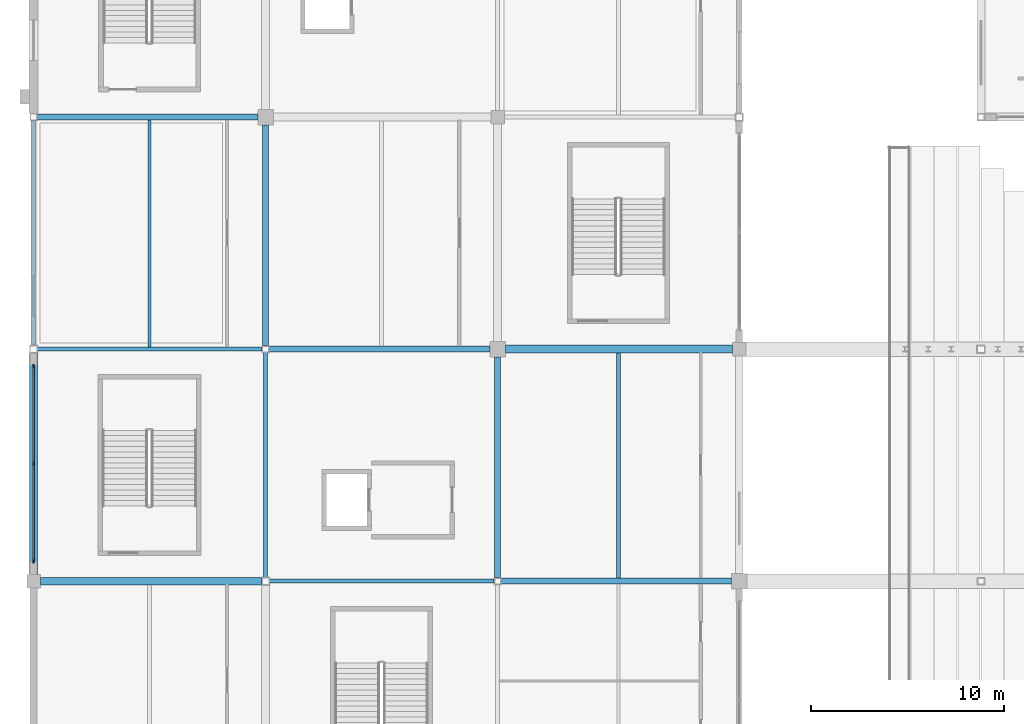
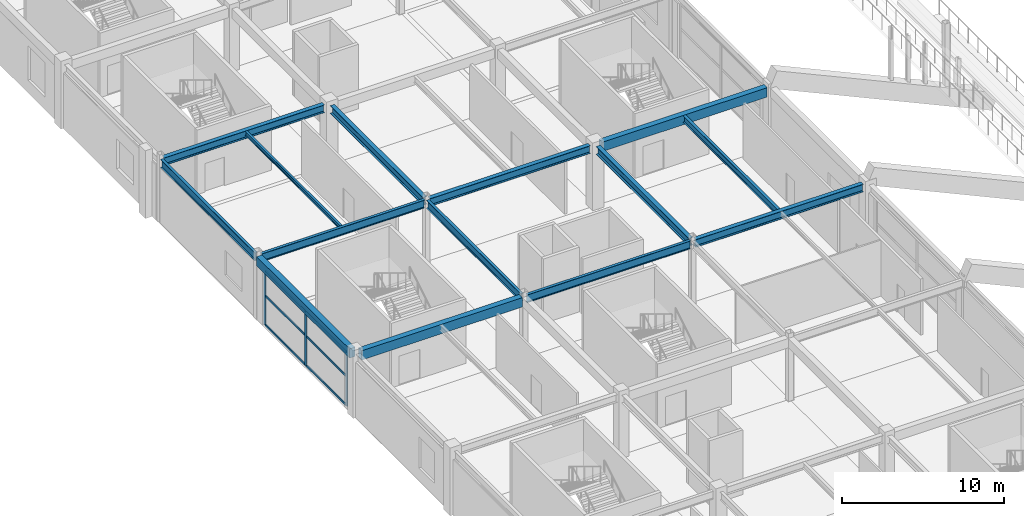
# One storey, part 39 of 128: 14 beams, 9 members, 1 element without a shape of its own.
"""IFC4 building model written with IfcOpenShell, lengths in metres."""

from ifc_helpers import new_model, si_unit, direction, frame, origin, origin_2d, place, context, subcontext, project, spatial, rectangle, i_section, extrude, material, layer, layer_set, material_profile, profile_set, type_object, element, aggregate, save


model = new_model("IFC4")

# Units and contexts
model_context = context("Model", 3, precision=1e-05, world=origin(), true_north=direction((0.0, 1.0)))
body_context = subcontext(model_context, "Body", "Model", "MODEL_VIEW")
ifc_project = project(units=[si_unit("LENGTHUNIT", "METRE"), si_unit("AREAUNIT", "SQUARE_METRE"), si_unit("VOLUMEUNIT", "CUBIC_METRE"), si_unit("PLANEANGLEUNIT", "RADIAN"), si_unit("MASSUNIT", "GRAM", prefix="KILO")], contexts=[model_context])

# Site, building, storey
site_placement = place(None, origin())
site = spatial("IfcSite", under=ifc_project, at=site_placement, CompositionType="ELEMENT")
building_placement = place(site_placement, origin())
building = spatial("IfcBuilding", under=site, at=building_placement, Name="Kazenohara Klinker Stadium", CompositionType="ELEMENT")
storey_placement = place(building_placement, frame((0.0, 0.0, 15.300048828125)))
storey = spatial("IfcBuildingStorey", under=building, at=storey_placement, Name="L03", CompositionType="ELEMENT", Elevation=15.300048828125)

# Beams
ifc_material_1 = material(Name="Steel S355", Category="steel")
ifc_material_profile_1 = material_profile(ifc_material_1, i_section(OverallWidth=0.199951171875, OverallDepth=0.5, WebThickness=0.010009765625, FlangeThickness=0.01611328125, FilletRadius=0.012939453125, at=origin_2d()), Name="H-500x200x10x16")
ifc_profile_set_1 = profile_set([ifc_material_profile_1], Name="Steel S355")
beam_type_1 = type_object("IfcBeamType", Name="BM-JST01", PredefinedType="JOIST", material=ifc_profile_set_1)
beam_1_placement = place(storey_placement, frame((30.25, 108.14990234375, 4.510009765625), z_axis=(0.0, 1.0, 0.0), x_axis=(-1.0, 0.0, 0.0)))
element("IfcBeam", 1, at=beam_1_placement, inside=storey, type_object=beam_type_1, Name="Secondary floor joist SJ01 L03 3/K", PredefinedType="JOIST", context=body_context, shape_type="SweptSolid", body=[
    extrude(i_section(OverallWidth=0.199951171875, OverallDepth=0.5, WebThickness=0.010009765625, FlangeThickness=0.01611328125, FilletRadius=0.012939453125, at=origin_2d()), origin(), (0.0, 0.0, 1.0), 11.650146484375),
])
ifc_material_profile_2 = material_profile(ifc_material_1, i_section(OverallWidth=0.14990234375, OverallDepth=0.300048828125, WebThickness=0.006591796875, FlangeThickness=0.009033203125, FilletRadius=0.012939453125, at=origin_2d()), Name="H-300x150x6.5x9")
ifc_profile_set_2 = profile_set([ifc_material_profile_2], Name="Steel S355")
beam_type_2 = type_object("IfcBeamType", Name="BM-JST05", PredefinedType="JOIST", material=ifc_profile_set_2)
beam_2_placement = place(storey_placement, frame((6.0, 120.10009765625, 4.60986328125), z_axis=(0.0, 1.0, 0.0), x_axis=(-1.0, 0.0, 0.0)))
element("IfcBeam", 2, at=beam_2_placement, inside=storey, type_object=beam_type_2, Name="Secondary floor joist SJ05 L03 1/L", PredefinedType="JOIST", context=body_context, shape_type="SweptSolid", body=[
    extrude(i_section(OverallWidth=0.14990234375, OverallDepth=0.300048828125, WebThickness=0.006591796875, FlangeThickness=0.009033203125, FilletRadius=0.012939453125, at=origin_2d()), origin(), (0.0, 0.0, 1.0), 11.75),
])
ifc_material_2 = material(Name="Concrete C40/50", Category="concrete")
ifc_material_profile_3 = material_profile(ifc_material_2, rectangle(XDim=0.39990234375, YDim=0.699951171875, at=origin_2d()), Name="RC-BM-400x700")
ifc_profile_set_3 = profile_set([ifc_material_profile_3], Name="Concrete C40/50")
beam_type_3 = type_object("IfcBeamType", Name="BM-RC04", PredefinedType="BEAM", material=ifc_profile_set_3)
beam_3_placement = place(storey_placement, frame((0.35009765625, 108.0, 4.409912109375), z_axis=(1.0, 0.0, 0.0), x_axis=(0.0, 1.0, 0.0)))
element("IfcBeam", 3, at=beam_3_placement, inside=storey, type_object=beam_type_3, Name="Primary girder BG04 L03 1-2/K", PredefinedType="BEAM", context=body_context, shape_type="SweptSolid", body=[
    extrude(rectangle(XDim=0.39990234375, YDim=0.699951171875, at=origin_2d()), origin(), (0.0, 0.0, 1.0), 11.449951171875),
])
beam_4_placement = place(storey_placement, frame((24.39990234375, 120.0, 4.409912109375), z_axis=(1.0, 0.0, 0.0), x_axis=(0.0, 1.0, 0.0)))
element("IfcBeam", 4, at=beam_4_placement, inside=storey, type_object=beam_type_3, Name="Primary girder BG04 L03 3-4/L", PredefinedType="BEAM", context=body_context, shape_type="SweptSolid", body=[
    extrude(rectangle(XDim=0.39990234375, YDim=0.699951171875, at=origin_2d()), origin(), (0.0, 0.0, 1.0), 11.75),
])
beam_5_placement = place(storey_placement, frame((0.0, 108.35009765625, 4.409912109375), z_axis=(0.0, 1.0, 0.0), x_axis=(-1.0, 0.0, 0.0)))
element("IfcBeam", 5, at=beam_5_placement, inside=storey, type_object=beam_type_3, Name="Primary girder BG04 L03 1/K-L", PredefinedType="BEAM", context=body_context, shape_type="SweptSolid", body=[
    extrude(rectangle(XDim=0.39990234375, YDim=0.699951171875, at=origin_2d()), origin(), (0.0, 0.0, 1.0), 11.449951171875),
])
ifc_material_profile_4 = material_profile(ifc_material_1, i_section(OverallWidth=0.199951171875, OverallDepth=0.60009765625, WebThickness=0.010986328125, FlangeThickness=0.01708984375, FilletRadius=0.012939453125, at=origin_2d()), Name="H-600x200x11x17")
ifc_profile_set_4 = profile_set([ifc_material_profile_4], Name="Steel S355")
beam_type_4 = type_object("IfcBeamType", Name="BM-ST04", PredefinedType="BEAM", material=ifc_profile_set_4)
for number, where, z_axis, x_axis, name in (
    (6, (0.199951171875, 120.0, 4.4599609375), (1.0, 0.0, 0.0), (0.0, 1.0, 0.0), "Primary girder SB04 L03 1-2/L"),
    (7, (12.199951171875, 108.0, 4.4599609375), (1.0, 0.0, 0.0), (0.0, 1.0, 0.0), "Primary girder SB04 L03 2-3/K"),
    (8, (0.0, 120.199951171875, 4.4599609375), (0.0, 1.0, 0.0), (-1.0, 0.0, 0.0), "Primary girder SB04 L03 1/L-M"),
    (9, (12.0, 108.199951171875, 4.4599609375), (0.0, 1.0, 0.0), (-1.0, 0.0, 0.0), "Primary girder SB04 L03 2/K-L"),
):
    element("IfcBeam", number, at=place(storey_placement, frame(where, z_axis=z_axis, x_axis=x_axis)), inside=storey, type_object=beam_type_4, Name=name, PredefinedType="BEAM", context=body_context, shape_type="SweptSolid", body=[
        extrude(i_section(OverallWidth=0.199951171875, OverallDepth=0.60009765625, WebThickness=0.010986328125, FlangeThickness=0.01708984375, FilletRadius=0.012939453125, at=origin_2d()), origin(), (0.0, 0.0, 1.0), 11.625),
    ])
ifc_material_profile_5 = material_profile(ifc_material_1, i_section(OverallWidth=0.300048828125, OverallDepth=0.587890625, WebThickness=0.011962890625, FlangeThickness=0.02001953125, FilletRadius=0.02197265625, at=origin_2d()), Name="H-588x300x12x20")
ifc_profile_set_5 = profile_set([ifc_material_profile_5], Name="Steel S355")
beam_type_5 = type_object("IfcBeamType", Name="BM-ST05", PredefinedType="BEAM", material=ifc_profile_set_5)
for number, where, z_axis, x_axis, name in (
    (10, (0.175048828125, 132.0, 4.466064453125), (1.0, 0.0, 0.0), (0.0, 1.0, 0.0), "Primary girder SB05 L03 1-2/M"),
    (11, (12.175048828125, 120.0, 4.466064453125), (1.0, 0.0, 0.0), (0.0, 1.0, 0.0), "Primary girder SB05 L03 2-3/L"),
):
    element("IfcBeam", number, at=place(storey_placement, frame(where, z_axis=z_axis, x_axis=x_axis)), inside=storey, type_object=beam_type_5, Name=name, PredefinedType="BEAM", context=body_context, shape_type="SweptSolid", body=[
        extrude(i_section(OverallWidth=0.300048828125, OverallDepth=0.587890625, WebThickness=0.011962890625, FlangeThickness=0.02001953125, FilletRadius=0.02197265625, at=origin_2d()), origin(), (0.0, 0.0, 1.0), 11.425048828125),
    ])
beam_6_placement = place(storey_placement, frame((24.175048828125, 108.0, 4.466064453125), z_axis=(1.0, 0.0, 0.0), x_axis=(0.0, 1.0, 0.0)))
element("IfcBeam", 12, at=beam_6_placement, inside=storey, type_object=beam_type_5, Name="Primary girder SB05 L03 3-4/K", PredefinedType="BEAM", context=body_context, shape_type="SweptSolid", body=[
    extrude(i_section(OverallWidth=0.300048828125, OverallDepth=0.587890625, WebThickness=0.011962890625, FlangeThickness=0.02001953125, FilletRadius=0.02197265625, at=origin_2d()), origin(), (0.0, 0.0, 1.0), 11.925048828125),
])
for number, where, z_axis, x_axis, name in (
    (13, (12.0, 120.175048828125, 4.466064453125), (0.0, 1.0, 0.0), (-1.0, 0.0, 0.0), "Primary girder SB05 L03 2/L-M"),
    (14, (24.0, 108.175048828125, 4.466064453125), (0.0, 1.0, 0.0), (-1.0, 0.0, 0.0), "Primary girder SB05 L03 3/K-L"),
):
    element("IfcBeam", number, at=place(storey_placement, frame(where, z_axis=z_axis, x_axis=x_axis)), inside=storey, type_object=beam_type_5, Name=name, PredefinedType="BEAM", context=body_context, shape_type="SweptSolid", body=[
        extrude(i_section(OverallWidth=0.300048828125, OverallDepth=0.587890625, WebThickness=0.011962890625, FlangeThickness=0.02001953125, FilletRadius=0.02197265625, at=origin_2d()), origin(), (0.0, 0.0, 1.0), 11.425048828125),
    ])

# Curtain wall, members
ifc_material_3 = material(Name="Anodised aluminium and triple glazing", Category="aluminium")
ifc_layer = layer(ifc_material_3, 0.159912109375)
ifc_layer_set = layer_set([ifc_layer], Name="Anodised aluminium and triple glazing")
curtain_wall_type = type_object("IfcCurtainWallType", Name="CW-SYS-01", PredefinedType="USERDEFINED", material=ifc_layer_set)
curtain_wall_placement = place(storey_placement, origin())
curtain_wall = element("IfcCurtainWall", 15, at=curtain_wall_placement, inside=storey, type_object=curtain_wall_type, Name="Unitised facade curtain wall CW01 L03 Y0-9", ObjectType="UNITISED CURTAIN WALL", PredefinedType="USERDEFINED")
ifc_material_4 = material(Name="Anodised aluminium 6063-T6", Category="aluminium")
ifc_material_profile_6 = material_profile(ifc_material_4, rectangle(XDim=0.074951171875, YDim=0.219970703125, at=origin_2d()), Name="ALU-MUL-75x220")
ifc_profile_set_6 = profile_set([ifc_material_profile_6], Name="Anodised aluminium 6063-T6")
member_type_1 = type_object("IfcMemberType", Name="CW-MUL-220", PredefinedType="MULLION", material=ifc_profile_set_6)
member_1_placement = place(storey_placement, frame((0.0, 109.04150390625, 0.0), z_axis=(0.0, 0.0, 1.0), x_axis=(-1.0, 0.0, 0.0)))
member_1 = element("IfcMember", 16, at=member_1_placement, type_object=member_type_1, Name="CW01 mullion 1", PredefinedType="MULLION", context=body_context, shape_type="SweptSolid", body=[
    extrude(rectangle(XDim=0.074951171875, YDim=0.219970703125, at=origin_2d()), origin(), (0.0, 0.0, 1.0), 4.06005859375),
])
member_2_placement = place(storey_placement, frame((0.0, 114.074951171875, 0.0), z_axis=(0.0, 0.0, 1.0), x_axis=(-1.0, 0.0, 0.0)))
member_2 = element("IfcMember", 17, at=member_2_placement, type_object=member_type_1, Name="CW01 mullion 2", PredefinedType="MULLION", context=body_context, shape_type="SweptSolid", body=[
    extrude(rectangle(XDim=0.074951171875, YDim=0.219970703125, at=origin_2d()), origin(), (0.0, 0.0, 1.0), 4.06005859375),
])
member_3_placement = place(storey_placement, frame((0.0, 119.1083984375, 0.0), z_axis=(0.0, 0.0, 1.0), x_axis=(-1.0, 0.0, 0.0)))
member_3 = element("IfcMember", 18, at=member_3_placement, type_object=member_type_1, Name="CW01 mullion 3", PredefinedType="MULLION", context=body_context, shape_type="SweptSolid", body=[
    extrude(rectangle(XDim=0.074951171875, YDim=0.219970703125, at=origin_2d()), origin(), (0.0, 0.0, 1.0), 4.06005859375),
])
ifc_material_profile_7 = material_profile(ifc_material_4, rectangle(XDim=0.074951171875, YDim=0.159912109375, at=origin_2d()), Name="ALU-TRN-75x160")
ifc_profile_set_7 = profile_set([ifc_material_profile_7], Name="Anodised aluminium 6063-T6")
member_type_2 = type_object("IfcMemberType", Name="CW-TRN-160", PredefinedType="USERDEFINED", material=ifc_profile_set_7)
member_4_placement = place(storey_placement, frame((0.0, 109.0791015625, 0.037353515625), z_axis=(0.0, 1.0, 0.0), x_axis=(-1.0, 0.0, 0.0)))
member_4 = element("IfcMember", 19, at=member_4_placement, type_object=member_type_2, Name="CW01 transom 1.1", ObjectType="TRANSOM", PredefinedType="USERDEFINED", context=body_context, shape_type="SweptSolid", body=[
    extrude(rectangle(XDim=0.074951171875, YDim=0.159912109375, at=origin_2d()), origin(), (0.0, 0.0, 1.0), 4.95849609375),
])
member_5_placement = place(storey_placement, frame((0.0, 109.0791015625, 2.23291015625), z_axis=(0.0, 1.0, 0.0), x_axis=(-1.0, 0.0, 0.0)))
member_5 = element("IfcMember", 20, at=member_5_placement, type_object=member_type_2, Name="CW01 transom 1.2", ObjectType="TRANSOM", PredefinedType="USERDEFINED", context=body_context, shape_type="SweptSolid", body=[
    extrude(rectangle(XDim=0.074951171875, YDim=0.159912109375, at=origin_2d()), origin(), (0.0, 0.0, 1.0), 4.95849609375),
])
member_6_placement = place(storey_placement, frame((0.0, 109.0791015625, 4.0224609375), z_axis=(0.0, 1.0, 0.0), x_axis=(-1.0, 0.0, 0.0)))
member_6 = element("IfcMember", 21, at=member_6_placement, type_object=member_type_2, Name="CW01 transom 1.3", ObjectType="TRANSOM", PredefinedType="USERDEFINED", context=body_context, shape_type="SweptSolid", body=[
    extrude(rectangle(XDim=0.074951171875, YDim=0.159912109375, at=origin_2d()), origin(), (0.0, 0.0, 1.0), 4.95849609375),
])
member_7_placement = place(storey_placement, frame((0.0, 114.112548828125, 0.037353515625), z_axis=(0.0, 1.0, 0.0), x_axis=(-1.0, 0.0, 0.0)))
member_7 = element("IfcMember", 22, at=member_7_placement, type_object=member_type_2, Name="CW01 transom 2.1", ObjectType="TRANSOM", PredefinedType="USERDEFINED", context=body_context, shape_type="SweptSolid", body=[
    extrude(rectangle(XDim=0.074951171875, YDim=0.159912109375, at=origin_2d()), origin(), (0.0, 0.0, 1.0), 4.95849609375),
])
member_8_placement = place(storey_placement, frame((0.0, 114.112548828125, 2.23291015625), z_axis=(0.0, 1.0, 0.0), x_axis=(-1.0, 0.0, 0.0)))
member_8 = element("IfcMember", 23, at=member_8_placement, type_object=member_type_2, Name="CW01 transom 2.2", ObjectType="TRANSOM", PredefinedType="USERDEFINED", context=body_context, shape_type="SweptSolid", body=[
    extrude(rectangle(XDim=0.074951171875, YDim=0.159912109375, at=origin_2d()), origin(), (0.0, 0.0, 1.0), 4.95849609375),
])
member_9_placement = place(storey_placement, frame((0.0, 114.112548828125, 4.0224609375), z_axis=(0.0, 1.0, 0.0), x_axis=(-1.0, 0.0, 0.0)))
member_9 = element("IfcMember", 24, at=member_9_placement, type_object=member_type_2, Name="CW01 transom 2.3", ObjectType="TRANSOM", PredefinedType="USERDEFINED", context=body_context, shape_type="SweptSolid", body=[
    extrude(rectangle(XDim=0.074951171875, YDim=0.159912109375, at=origin_2d()), origin(), (0.0, 0.0, 1.0), 4.95849609375),
])
aggregate(curtain_wall, [member_1, member_2, member_3, member_4, member_5, member_6, member_7, member_8, member_9])

save(model, "model.ifc")
